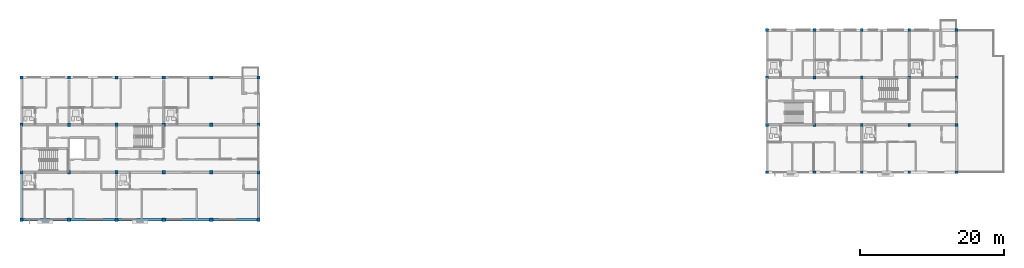
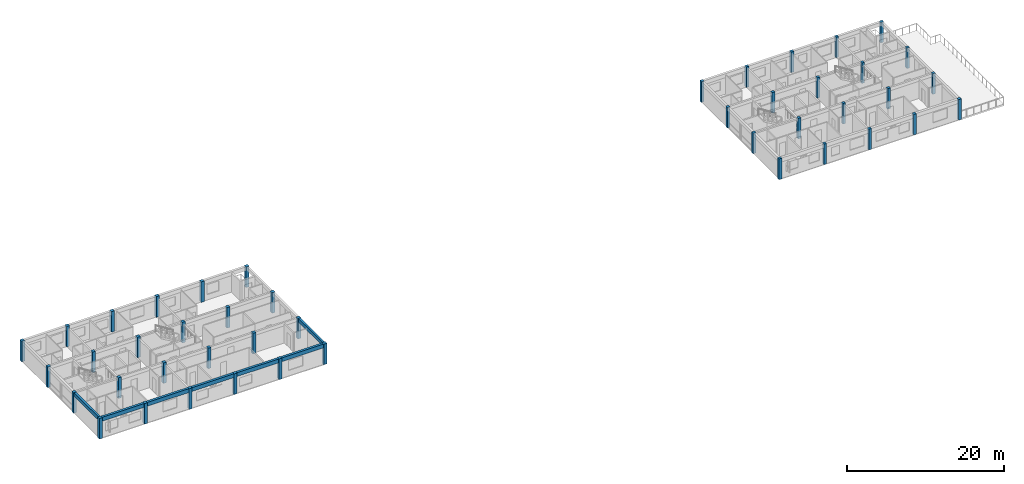
# One storey, part 1 of 22: 44 columns, 7 beams.
"""IFC4 building model written with IfcOpenShell, lengths in metres."""

from ifc_helpers import new_model, si_unit, direction, frame, origin, origin_2d, place, context, subcontext, project, spatial, rectangle, extrude, material, material_profile, profile_set, type_object, element, save


model = new_model("IFC4")

# Units and contexts
model_context = context("Model", 3, precision=1e-05, world=origin(), true_north=direction((0.0, 1.0)))
body_context = subcontext(model_context, "Body", "Model", "MODEL_VIEW")
ifc_project = project(units=[si_unit("LENGTHUNIT", "METRE"), si_unit("AREAUNIT", "SQUARE_METRE"), si_unit("VOLUMEUNIT", "CUBIC_METRE"), si_unit("PLANEANGLEUNIT", "RADIAN"), si_unit("MASSUNIT", "GRAM", prefix="KILO")], contexts=[model_context])

# Site, building, storey
site_placement = place(None, origin())
site = spatial("IfcSite", under=ifc_project, at=site_placement, CompositionType="ELEMENT")
building_placement = place(site_placement, origin())
building = spatial("IfcBuilding", under=site, at=building_placement, Name="Kernevlak Ridge Housing Community", CompositionType="ELEMENT")
storey_placement = place(building_placement, frame((0.0, 0.0, 43.60009765625)))
storey = spatial("IfcBuildingStorey", under=building, at=storey_placement, Name="L13", CompositionType="ELEMENT", Elevation=43.60009765625)

# Columns
ifc_material = material(Name="Concrete C35/45", Category="concrete")
ifc_material_profile_1 = material_profile(ifc_material, rectangle(XDim=0.449951171875, YDim=0.449951171875, at=origin_2d()), Name="RC 450x450")
ifc_profile_set_1 = profile_set([ifc_material_profile_1], Name="Concrete C35/45")
column_type_1 = type_object("IfcColumnType", Name="C-04", PredefinedType="COLUMN", material=ifc_profile_set_1)
for number, where, z_axis, x_axis, name in (
    (1, (15.60009765625, 76.0, 0.0), (0.0, 0.0, 1.0), (1.0, 0.0, 0.0), "Column C-04 COL-A-L13-00-0"),
    (2, (15.60009765625, 82.60009765625, 0.0), (0.0, 0.0, 1.0), (1.0, 0.0, 0.0), "Column C-04 COL-A-L13-00-1"),
    (3, (15.60009765625, 89.199951171875, 0.0), (0.0, 0.0, 1.0), (1.0, 0.0, 0.0), "Column C-04 COL-A-L13-00-2"),
    (4, (15.60009765625, 95.800048828125, 0.0), (0.0, 0.0, 1.0), (1.0, 0.0, 0.0), "Column C-04 COL-A-L13-00-3"),
    (5, (22.199951171875, 76.0, 0.0), (0.0, 0.0, 1.0), (1.0, 0.0, 0.0), "Column C-04 COL-A-L13-01-0"),
    (6, (22.199951171875, 82.60009765625, 0.0), (0.0, 0.0, 1.0), (1.0, 0.0, 0.0), "Column C-04 COL-A-L13-01-1"),
    (7, (22.199951171875, 89.199951171875, 0.0), (0.0, 0.0, 1.0), (1.0, 0.0, 0.0), "Column C-04 COL-A-L13-01-2"),
    (8, (22.199951171875, 95.800048828125, 0.0), (0.0, 0.0, 1.0), (1.0, 0.0, 0.0), "Column C-04 COL-A-L13-01-3"),
    (9, (28.800048828125, 76.0, 0.0), (0.0, 0.0, 1.0), (1.0, 0.0, 0.0), "Column C-04 COL-A-L13-02-0"),
    (10, (28.800048828125, 82.60009765625, 0.0), (0.0, 0.0, 1.0), (1.0, 0.0, 0.0), "Column C-04 COL-A-L13-02-1"),
    (11, (28.800048828125, 89.199951171875, 0.0), (0.0, 0.0, 1.0), (1.0, 0.0, 0.0), "Column C-04 COL-A-L13-02-2"),
    (12, (28.800048828125, 95.800048828125, 0.0), (0.0, 0.0, 1.0), (1.0, 0.0, 0.0), "Column C-04 COL-A-L13-02-3"),
    (13, (35.39990234375, 76.0, 0.0), (0.0, 0.0, 1.0), (1.0, 0.0, 0.0), "Column C-04 COL-A-L13-03-0"),
    (14, (35.39990234375, 82.60009765625, 0.0), (0.0, 0.0, 1.0), (1.0, 0.0, 0.0), "Column C-04 COL-A-L13-03-1"),
    (15, (35.39990234375, 89.199951171875, 0.0), (0.0, 0.0, 1.0), (1.0, 0.0, 0.0), "Column C-04 COL-A-L13-03-2"),
    (16, (35.39990234375, 95.800048828125, 0.0), (0.0, 0.0, 1.0), (1.0, 0.0, 0.0), "Column C-04 COL-A-L13-03-3"),
    (17, (42.0, 76.0, 0.0), (0.0, 0.0, 1.0), (1.0, 0.0, 0.0), "Column C-04 COL-A-L13-04-0"),
    (18, (42.0, 82.60009765625, 0.0), (0.0, 0.0, 1.0), (1.0, 0.0, 0.0), "Column C-04 COL-A-L13-04-1"),
    (19, (42.0, 89.199951171875, 0.0), (0.0, 0.0, 1.0), (1.0, 0.0, 0.0), "Column C-04 COL-A-L13-04-2"),
    (20, (42.0, 95.800048828125, 0.0), (0.0, 0.0, 1.0), (1.0, 0.0, 0.0), "Column C-04 COL-A-L13-04-3"),
    (21, (48.60009765625, 76.0, 0.0), (0.0, 0.0, 1.0), (1.0, 0.0, 0.0), "Column C-04 COL-A-L13-05-0"),
    (22, (48.60009765625, 82.60009765625, 0.0), (0.0, 0.0, 1.0), (1.0, 0.0, 0.0), "Column C-04 COL-A-L13-05-1"),
    (23, (48.60009765625, 89.199951171875, 0.0), (0.0, 0.0, 1.0), (1.0, 0.0, 0.0), "Column C-04 COL-A-L13-05-2"),
    (24, (48.60009765625, 95.800048828125, 0.0), (0.0, 0.0, 1.0), (1.0, 0.0, 0.0), "Column C-04 COL-A-L13-05-3"),
):
    element("IfcColumn", number, at=place(storey_placement, frame(where, z_axis=z_axis, x_axis=x_axis)), inside=storey, type_object=column_type_1, Name=name, PredefinedType="COLUMN", context=body_context, shape_type="SweptSolid", body=[
        extrude(rectangle(XDim=0.449951171875, YDim=0.449951171875, at=origin_2d()), origin(), (0.0, 0.0, 1.0), 3.199951171875),
    ])
ifc_material_profile_2 = material_profile(ifc_material, rectangle(XDim=0.39990234375, YDim=0.39990234375, at=origin_2d()), Name="RC 400x400")
ifc_profile_set_2 = profile_set([ifc_material_profile_2], Name="Concrete C35/45")
column_type_2 = type_object("IfcColumnType", Name="C-05", PredefinedType="COLUMN", material=ifc_profile_set_2)
for number, where, z_axis, x_axis, name in (
    (25, (119.39990234375, 82.60009765625, 0.0), (0.0, 0.0, 1.0), (1.0, 0.0, 0.0), "Column C-05 COL-B-L13-00-0"),
    (26, (119.39990234375, 89.199951171875, 0.0), (0.0, 0.0, 1.0), (1.0, 0.0, 0.0), "Column C-05 COL-B-L13-00-1"),
    (27, (119.39990234375, 95.800048828125, 0.0), (0.0, 0.0, 1.0), (1.0, 0.0, 0.0), "Column C-05 COL-B-L13-00-2"),
    (28, (119.39990234375, 102.39990234375, 0.0), (0.0, 0.0, 1.0), (1.0, 0.0, 0.0), "Column C-05 COL-B-L13-00-3"),
    (29, (126.0, 82.60009765625, 0.0), (0.0, 0.0, 1.0), (1.0, 0.0, 0.0), "Column C-05 COL-B-L13-01-0"),
    (30, (126.0, 89.199951171875, 0.0), (0.0, 0.0, 1.0), (1.0, 0.0, 0.0), "Column C-05 COL-B-L13-01-1"),
    (31, (126.0, 95.800048828125, 0.0), (0.0, 0.0, 1.0), (1.0, 0.0, 0.0), "Column C-05 COL-B-L13-01-2"),
    (32, (126.0, 102.39990234375, 0.0), (0.0, 0.0, 1.0), (1.0, 0.0, 0.0), "Column C-05 COL-B-L13-01-3"),
    (33, (132.60009765625, 82.60009765625, 0.0), (0.0, 0.0, 1.0), (1.0, 0.0, 0.0), "Column C-05 COL-B-L13-02-0"),
    (34, (132.60009765625, 89.199951171875, 0.0), (0.0, 0.0, 1.0), (1.0, 0.0, 0.0), "Column C-05 COL-B-L13-02-1"),
    (35, (132.60009765625, 95.800048828125, 0.0), (0.0, 0.0, 1.0), (1.0, 0.0, 0.0), "Column C-05 COL-B-L13-02-2"),
    (36, (132.60009765625, 102.39990234375, 0.0), (0.0, 0.0, 1.0), (1.0, 0.0, 0.0), "Column C-05 COL-B-L13-02-3"),
    (37, (139.199951171875, 82.60009765625, 0.0), (0.0, 0.0, 1.0), (1.0, 0.0, 0.0), "Column C-05 COL-B-L13-03-0"),
    (38, (139.199951171875, 89.199951171875, 0.0), (0.0, 0.0, 1.0), (1.0, 0.0, 0.0), "Column C-05 COL-B-L13-03-1"),
    (39, (139.199951171875, 95.800048828125, 0.0), (0.0, 0.0, 1.0), (1.0, 0.0, 0.0), "Column C-05 COL-B-L13-03-2"),
    (40, (139.199951171875, 102.39990234375, 0.0), (0.0, 0.0, 1.0), (1.0, 0.0, 0.0), "Column C-05 COL-B-L13-03-3"),
    (41, (145.800048828125, 82.60009765625, 0.0), (0.0, 0.0, 1.0), (1.0, 0.0, 0.0), "Column C-05 COL-B-L13-04-0"),
    (42, (145.800048828125, 89.199951171875, 0.0), (0.0, 0.0, 1.0), (1.0, 0.0, 0.0), "Column C-05 COL-B-L13-04-1"),
    (43, (145.800048828125, 95.800048828125, 0.0), (0.0, 0.0, 1.0), (1.0, 0.0, 0.0), "Column C-05 COL-B-L13-04-2"),
    (44, (145.800048828125, 102.39990234375, 0.0), (0.0, 0.0, 1.0), (1.0, 0.0, 0.0), "Column C-05 COL-B-L13-04-3"),
):
    element("IfcColumn", number, at=place(storey_placement, frame(where, z_axis=z_axis, x_axis=x_axis)), inside=storey, type_object=column_type_2, Name=name, PredefinedType="COLUMN", context=body_context, shape_type="SweptSolid", body=[
        extrude(rectangle(XDim=0.39990234375, YDim=0.39990234375, at=origin_2d()), origin(), (0.0, 0.0, 1.0), 3.199951171875),
    ])

# Beams
ifc_material_profile_3 = material_profile(ifc_material, rectangle(XDim=0.300048828125, YDim=0.550048828125, at=origin_2d()), Name="RC 300x550")
ifc_profile_set_3 = profile_set([ifc_material_profile_3], Name="Concrete C35/45")
beam_type_1 = type_object("IfcBeamType", Name="SP-01", PredefinedType="SPANDREL", material=ifc_profile_set_3)
for number, where, z_axis, x_axis, name in (
    (45, (15.60009765625, 76.22509765625, 2.9248046875), (0.0, 1.0, 0.0), (-1.0, 0.0, 0.0), "Beam SP-01 L13 415"),
    (46, (48.60009765625, 76.22509765625, 2.9248046875), (0.0, 1.0, 0.0), (-1.0, 0.0, 0.0), "Beam SP-01 L13 418"),
):
    element("IfcBeam", number, at=place(storey_placement, frame(where, z_axis=z_axis, x_axis=x_axis)), inside=storey, type_object=beam_type_1, Name=name, PredefinedType="SPANDREL", context=body_context, shape_type="SweptSolid", body=[
        extrude(rectangle(XDim=0.300048828125, YDim=0.550048828125, at=origin_2d()), origin(), (0.0, 0.0, 1.0), 6.14990234375),
    ])
ifc_material_profile_4 = material_profile(ifc_material, rectangle(XDim=0.35009765625, YDim=0.60009765625, at=origin_2d()), Name="RC 350x600")
ifc_profile_set_4 = profile_set([ifc_material_profile_4], Name="Concrete C35/45")
beam_type_2 = type_object("IfcBeamType", Name="SP-03", PredefinedType="SPANDREL", material=ifc_profile_set_4)
beam_1_placement = place(storey_placement, frame((15.824951171875, 76.0, 2.89990234375), z_axis=(1.0, 0.0, 0.0), x_axis=(0.0, 1.0, 0.0)))
element("IfcBeam", 47, at=beam_1_placement, inside=storey, type_object=beam_type_2, Name="Beam SP-03 L13 395", PredefinedType="SPANDREL", context=body_context, shape_type="SweptSolid", body=[
    extrude(rectangle(XDim=0.35009765625, YDim=0.60009765625, at=origin_2d()), origin(), (0.0, 0.0, 1.0), 6.150146484375),
])
beam_2_placement = place(storey_placement, frame((22.425048828125, 76.0, 2.89990234375), z_axis=(1.0, 0.0, 0.0), x_axis=(0.0, 1.0, 0.0)))
element("IfcBeam", 48, at=beam_2_placement, inside=storey, type_object=beam_type_2, Name="Beam SP-03 L13 396", PredefinedType="SPANDREL", context=body_context, shape_type="SweptSolid", body=[
    extrude(rectangle(XDim=0.35009765625, YDim=0.60009765625, at=origin_2d()), origin(), (0.0, 0.0, 1.0), 6.14990234375),
])
beam_3_placement = place(storey_placement, frame((29.02490234375, 76.0, 2.89990234375), z_axis=(1.0, 0.0, 0.0), x_axis=(0.0, 1.0, 0.0)))
element("IfcBeam", 49, at=beam_3_placement, inside=storey, type_object=beam_type_2, Name="Beam SP-03 L13 397", PredefinedType="SPANDREL", context=body_context, shape_type="SweptSolid", body=[
    extrude(rectangle(XDim=0.35009765625, YDim=0.60009765625, at=origin_2d()), origin(), (0.0, 0.0, 1.0), 6.150146484375),
])
for number, where, z_axis, x_axis, name in (
    (50, (35.625, 76.0, 2.89990234375), (1.0, 0.0, 0.0), (0.0, 1.0, 0.0), "Beam SP-03 L13 398"),
    (51, (42.22509765625, 76.0, 2.89990234375), (1.0, 0.0, 0.0), (0.0, 1.0, 0.0), "Beam SP-03 L13 399"),
):
    element("IfcBeam", number, at=place(storey_placement, frame(where, z_axis=z_axis, x_axis=x_axis)), inside=storey, type_object=beam_type_2, Name=name, PredefinedType="SPANDREL", context=body_context, shape_type="SweptSolid", body=[
        extrude(rectangle(XDim=0.35009765625, YDim=0.60009765625, at=origin_2d()), origin(), (0.0, 0.0, 1.0), 6.14990234375),
    ])

save(model, "model.ifc")
